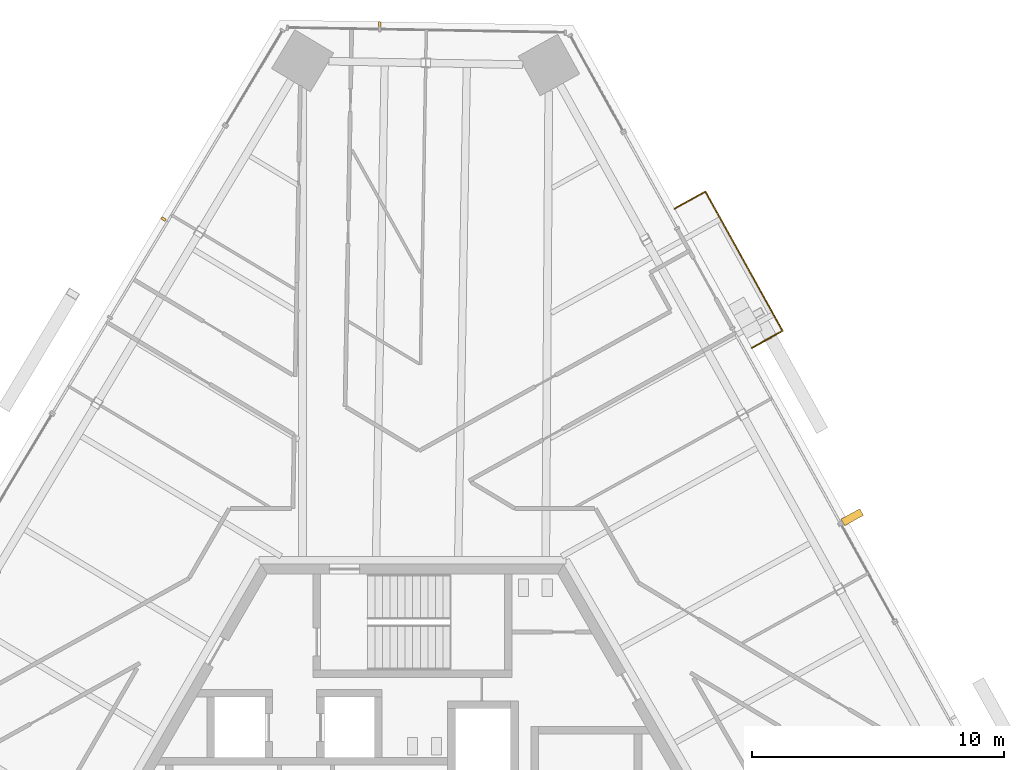
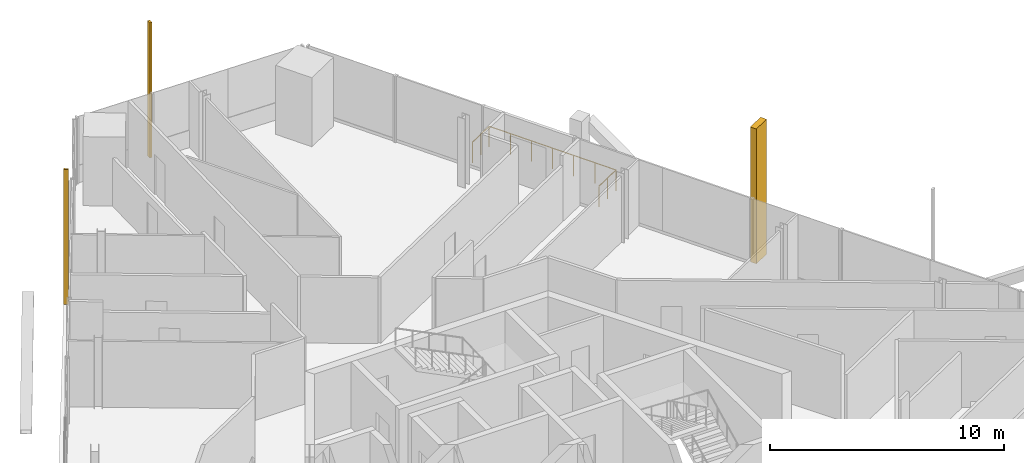
# One storey, part 18 of 21: 3 shading devices, 1 railing.
"""IFC4 building model written with IfcOpenShell, lengths in metres."""

from ifc_helpers import new_model, si_unit, direction, frame, origin, origin_2d, place, context, subcontext, project, spatial, rectangle, circle, extrude, source, transform, mapped, material, type_object, element, save


model = new_model("IFC4")

# Units and contexts
model_context = context("Model", 3, precision=1e-05, world=origin(), true_north=direction((0.0, 1.0)))
body_context = subcontext(model_context, "Body", "Model", "MODEL_VIEW")
ifc_project = project(units=[si_unit("LENGTHUNIT", "METRE"), si_unit("AREAUNIT", "SQUARE_METRE"), si_unit("VOLUMEUNIT", "CUBIC_METRE"), si_unit("PLANEANGLEUNIT", "RADIAN"), si_unit("MASSUNIT", "GRAM", prefix="KILO")], contexts=[model_context])

# Site, building, storey
site_placement = place(None, origin())
site = spatial("IfcSite", under=ifc_project, at=site_placement, CompositionType="ELEMENT")
building_placement = place(site_placement, origin())
building = spatial("IfcBuilding", under=site, at=building_placement, Name="Triune Harvest Tower", CompositionType="ELEMENT")
storey_placement = place(building_placement, frame((0.0, 0.0, 201.5)))
storey = spatial("IfcBuildingStorey", under=building, at=storey_placement, Name="L52", CompositionType="ELEMENT", Elevation=201.5)

# Shading devices
ifc_material_1 = material(Name="Aluminium bronze anodised", Category="aluminium")
shared_shape_1 = source(origin(), body_context, "Body", "SweptSolid", [
    extrude(rectangle(XDim=0.10009765625, YDim=0.199951171875, at=origin_2d()), origin(), (0.0, 0.0, 1.0), 7.0400390625),
])
for number, where, z_axis, x_axis, name in (
    (1, (-1.295166015625, 31.8125, 0.0), (0.0, 0.0, 1.0), (-0.999847801404, 0.017446318452, 0.0), "FN-1 fin B5-F2.3 L52"),
    (2, (-9.8837890625, 24.085693359375, 0.0), (0.0, 0.0, 1.0), (-0.515036632219, -0.857168167557, 0.0), "FN-1 fin B5-F3.3 L52"),
):
    element("IfcShadingDevice", number, at=place(storey_placement, frame(where, z_axis=z_axis, x_axis=x_axis)), inside=storey, material=ifc_material_1, Name=name, ObjectType="FIN", PredefinedType="USERDEFINED", context=body_context, shape_type="MappedRepresentation", body=[
        mapped(shared_shape_1, transform((0.0, 0.0, 0.0), scale=1.0)),
    ])
shared_shape_2 = source(origin(), body_context, "Body", "SweptSolid", [
    extrude(rectangle(XDim=0.300048828125, YDim=0.85009765625, at=origin_2d()), origin(), (0.0, 0.0, 1.0), 7.0400390625),
])
shading_device_placement = place(storey_placement, frame((17.45166015625, 12.249267578125, 0.0), z_axis=(0.0, 0.0, 1.0), x_axis=(-0.48480848305, 0.874620337497, 0.0)))
element("IfcShadingDevice", 3, at=shading_device_placement, inside=storey, material=ifc_material_1, Name="FN-2 fin B5-F1.7 L52", ObjectType="FIN", PredefinedType="USERDEFINED", context=body_context, shape_type="MappedRepresentation", body=[
    mapped(shared_shape_2, transform((0.0, 0.0, 0.0), scale=1.0)),
])

# Railing
ifc_material_2 = material(Name="Glass", Category="glass")
railing_type = type_object("IfcRailingType", Name="GD-2 balcony guard 1100", PredefinedType="GUARDRAIL", material=ifc_material_2)
shared_shape_3 = source(origin(), body_context, "Body", "SweptSolid", [
    extrude(circle(Radius=0.02392578125, at=origin_2d()), frame((0.0, 0.0, 1.076171875), z_axis=(0.874594831229, 0.484854494861, 0.0), x_axis=(-0.484854494861, 0.874594831229, 0.0)), (0.0, 0.0, 1.0), 1.393798828125),
    extrude(circle(Radius=0.02392578125, at=origin_2d()), frame((1.218994140625, 0.67578125, 1.076171875), z_axis=(-0.484823039855, 0.874612268394, 0.0), x_axis=(-0.874612268394, -0.484823039855, 0.0)), (0.0, 0.0, 1.0), 6.322265625),
    extrude(circle(Radius=0.02392578125, at=origin_2d()), frame((-1.84619140625, 6.205322265625, 1.076171875), z_axis=(-0.874594831229, -0.484854494861, 0.0), x_axis=(0.484854494861, -0.874594831229, 0.0)), (0.0, 0.0, 1.0), 1.393798828125),
    extrude(circle(Radius=0.02099609375, at=origin_2d()), origin(), (0.0, 0.0, 1.0), 1.052001953125),
    extrude(circle(Radius=0.02099609375, at=origin_2d()), frame((0.609375, 0.337890625, 0.0)), (0.0, 0.0, 1.0), 1.052001953125),
    extrude(circle(Radius=0.02099609375, at=origin_2d()), frame((1.218994140625, 0.67578125, 0.0)), (0.0, 0.0, 1.0), 1.052001953125),
    extrude(circle(Radius=0.02099609375, at=origin_2d()), frame((0.7080078125, 1.597412109375, 0.0)), (0.0, 0.0, 1.0), 1.052001953125),
    extrude(circle(Radius=0.02099609375, at=origin_2d()), frame((0.197265625, 2.51904296875, 0.0)), (0.0, 0.0, 1.0), 1.052001953125),
    extrude(circle(Radius=0.02099609375, at=origin_2d()), frame((-0.3134765625, 3.4404296875, 0.0)), (0.0, 0.0, 1.0), 1.052001953125),
    extrude(circle(Radius=0.02099609375, at=origin_2d()), frame((-0.824462890625, 4.362060546875, 0.0)), (0.0, 0.0, 1.0), 1.052001953125),
    extrude(circle(Radius=0.02099609375, at=origin_2d()), frame((-1.33544921875, 5.28369140625, 0.0)), (0.0, 0.0, 1.0), 1.052001953125),
    extrude(circle(Radius=0.02099609375, at=origin_2d()), frame((-1.84619140625, 6.205322265625, 0.0)), (0.0, 0.0, 1.0), 1.052001953125),
    extrude(circle(Radius=0.02099609375, at=origin_2d()), frame((-2.45556640625, 5.867431640625, 0.0)), (0.0, 0.0, 1.0), 1.052001953125),
    extrude(circle(Radius=0.02099609375, at=origin_2d()), frame((-3.065185546875, 5.529541015625, 0.0)), (0.0, 0.0, 1.0), 1.052001953125),
])
railing_placement = place(storey_placement, frame((13.469970703125, 18.96826171875, 0.0)))
element("IfcRailing", 4, at=railing_placement, inside=storey, type_object=railing_type, Name="Balcony guard B5-F1 L52.9", PredefinedType="GUARDRAIL", context=body_context, shape_type="MappedRepresentation", body=[
    mapped(shared_shape_3, transform((0.0, 0.0, 0.0), scale=1.0)),
])

save(model, "model.ifc")
